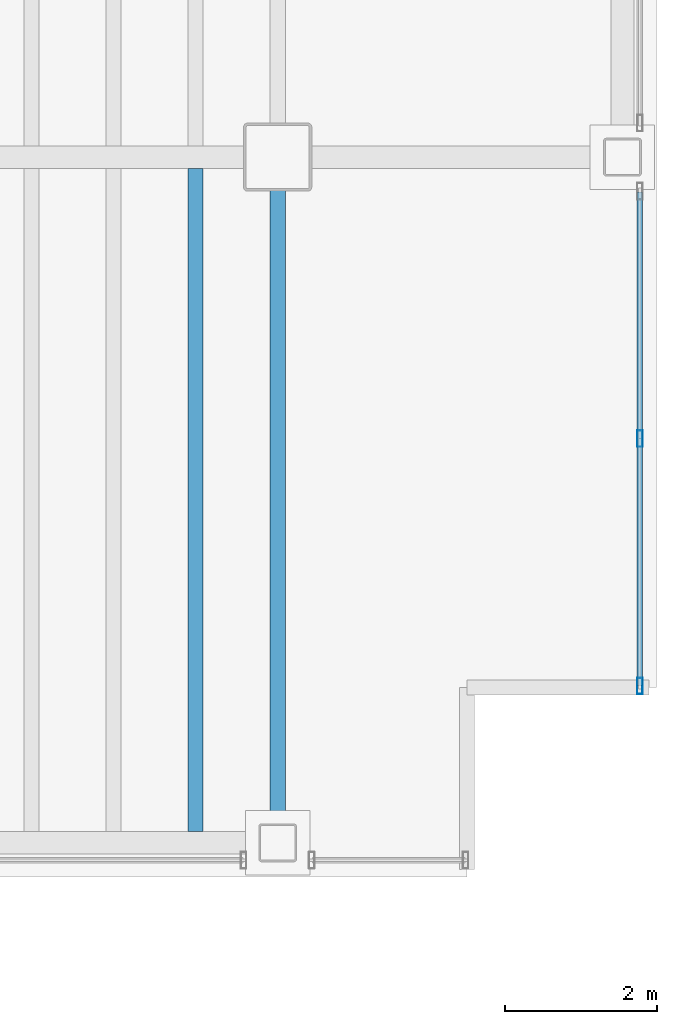
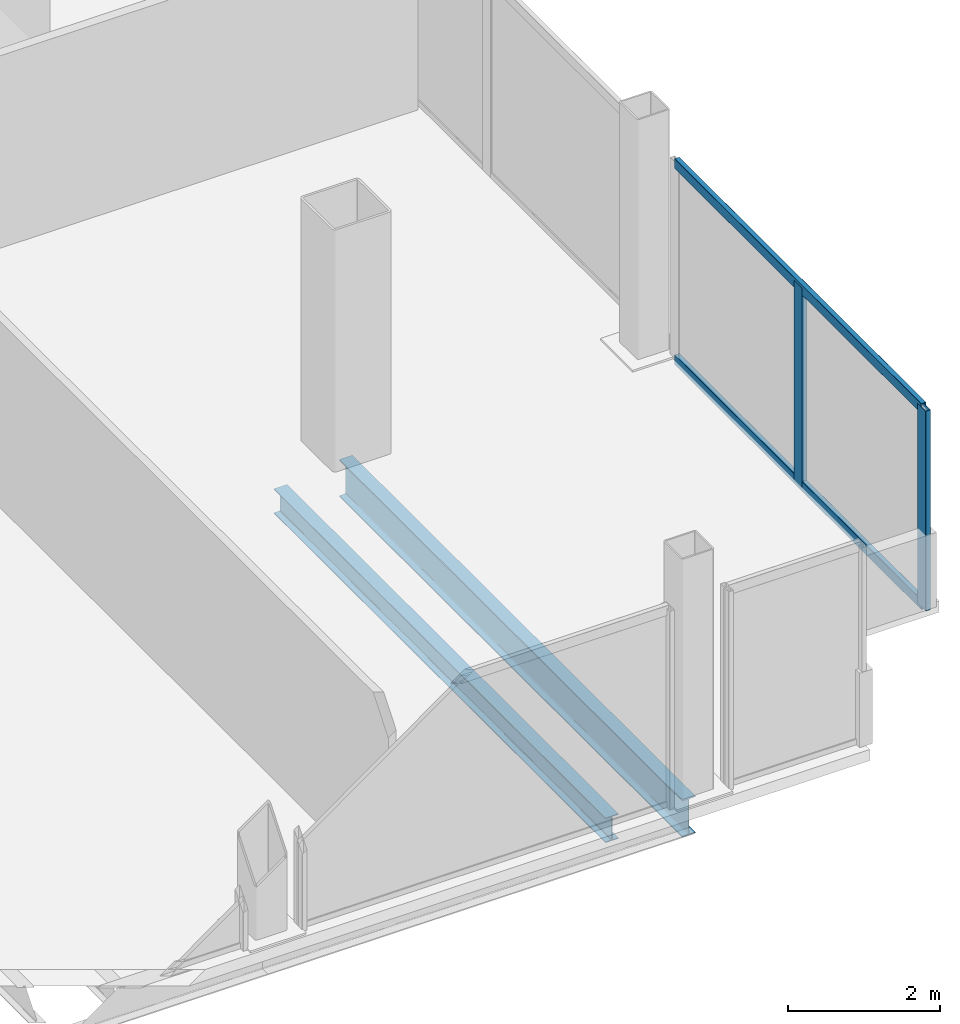
# One storey, part 13 of 20: 4 members, 2 beams, 1 element without a shape of its own.
"""IFC4 building model written with IfcOpenShell, lengths in metres."""

from ifc_helpers import new_model, si_unit, direction, frame, origin, origin_2d, place, context, subcontext, project, spatial, hollow_rectangle, i_section, extrude, material, material_profile, profile_set, type_object, element, aggregate, save


model = new_model("IFC4")

# Units and contexts
model_context = context("Model", 3, precision=1e-05, world=origin(), true_north=direction((0.0, 1.0)))
body_context = subcontext(model_context, "Body", "Model", "MODEL_VIEW")
ifc_project = project(units=[si_unit("LENGTHUNIT", "METRE"), si_unit("AREAUNIT", "SQUARE_METRE"), si_unit("VOLUMEUNIT", "CUBIC_METRE"), si_unit("PLANEANGLEUNIT", "RADIAN"), si_unit("MASSUNIT", "GRAM", prefix="KILO")], contexts=[model_context])

# Site, building, storey
site_placement = place(None, origin())
site = spatial("IfcSite", under=ifc_project, at=site_placement, CompositionType="ELEMENT")
building_placement = place(site_placement, origin())
building = spatial("IfcBuilding", under=site, at=building_placement, Name="Noeulbin Bourse Tower", CompositionType="ELEMENT")
storey_placement = place(building_placement, frame((0.0, 0.0, 126.60009765625)))
storey = spatial("IfcBuildingStorey", under=building, at=storey_placement, Name="L31", CompositionType="ELEMENT", Elevation=126.60009765625)

# Beams
ifc_material_1 = material(Name="Steel S355", Category="steel")
ifc_material_profile_1 = material_profile(ifc_material_1, i_section(OverallWidth=0.199951171875, OverallDepth=0.60009765625, WebThickness=0.010986328125, FlangeThickness=0.01708984375, FilletRadius=0.02197265625, at=origin_2d()), Name="H-600x200x11x17", Category="LoadBearing")
ifc_profile_set_1 = profile_set([ifc_material_profile_1], Name="Steel S355")
beam_type_1 = type_object("IfcBeamType", Name="BM-GRD-600", PredefinedType="USERDEFINED", material=ifc_profile_set_1)
beam_1_placement = place(storey_placement, frame((44.0, 10.949951171875, -0.47998046875), z_axis=(0.0, 1.0, 0.0), x_axis=(-1.0, 0.0, 0.0)))
element("IfcBeam", 1, at=beam_1_placement, inside=storey, type_object=beam_type_1, Name="Tower Primary Girder NS L31-5.1", ObjectType="GIRDER", PredefinedType="USERDEFINED", context=body_context, shape_type="SweptSolid", body=[
    extrude(i_section(OverallWidth=0.199951171875, OverallDepth=0.60009765625, WebThickness=0.010986328125, FlangeThickness=0.01708984375, FilletRadius=0.02197265625, at=origin_2d()), origin(), (0.0, 0.0, 1.0), 9.050048828125),
])
ifc_material_profile_2 = material_profile(ifc_material_1, i_section(OverallWidth=0.199951171875, OverallDepth=0.39990234375, WebThickness=0.008056640625, FlangeThickness=0.012939453125, FilletRadius=0.01611328125, at=origin_2d()), Name="H-400x200x8x13", Category="LoadBearing")
ifc_profile_set_2 = profile_set([ifc_material_profile_2], Name="Steel S355")
beam_type_2 = type_object("IfcBeamType", Name="BM-SEC-400", PredefinedType="BEAM", material=ifc_profile_set_2)
beam_2_placement = place(storey_placement, frame((42.916748046875, 11.10009765625, -0.380126953125), z_axis=(0.0, 1.0, 0.0), x_axis=(-1.0, 0.0, 0.0)))
element("IfcBeam", 2, at=beam_2_placement, inside=storey, type_object=beam_type_2, Name="Tower Composite Joist L31-45", PredefinedType="BEAM", context=body_context, shape_type="SweptSolid", body=[
    extrude(i_section(OverallWidth=0.199951171875, OverallDepth=0.39990234375, WebThickness=0.008056640625, FlangeThickness=0.012939453125, FilletRadius=0.01611328125, at=origin_2d()), origin(), (0.0, 0.0, 1.0), 8.75),
])

# Curtain wall, members
ifc_material_2 = material(Name="Dark Tinted Triple Glazing", Category="glass")
curtain_wall_type = type_object("IfcCurtainWallType", Name="CW-SYS-3", PredefinedType="NOTDEFINED", material=ifc_material_2)
curtain_wall_placement = place(storey_placement, origin())
curtain_wall = element("IfcCurtainWall", 3, at=curtain_wall_placement, inside=storey, type_object=curtain_wall_type, Name="Unitised Curtain Wall CW-L31-E-S1", PredefinedType="NOTDEFINED")
ifc_material_3 = material(Name="Anodised Aluminium 6063-T6", Category="aluminium")
ifc_material_profile_3 = material_profile(ifc_material_3, hollow_rectangle(XDim=0.074951171875, YDim=0.219970703125, WallThickness=0.0048828125, InnerFilletRadius=0.00244140625, OuterFilletRadius=0.0048828125, at=origin_2d()), Name="ALU-MULL-75x220x5", Category="LoadBearing")
ifc_profile_set_3 = profile_set([ifc_material_profile_3], Name="Anodised Aluminium 6063-T6")
member_type_1 = type_object("IfcMemberType", Name="CW-SYS-3-MUL", PredefinedType="MULLION", material=ifc_profile_set_3)
member_1_placement = place(storey_placement, frame((48.780029296875, 13.02001953125, -0.02001953125), z_axis=(0.0, 0.0, 1.0), x_axis=(1.0, 0.0, 0.0)))
member_1 = element("IfcMember", 4, at=member_1_placement, type_object=member_type_1, Name="Curtain Wall Mullion CW-L31-E-S1-M00", PredefinedType="MULLION", context=body_context, shape_type="SweptSolid", body=[
    extrude(hollow_rectangle(XDim=0.074951171875, YDim=0.219970703125, WallThickness=0.0048828125, InnerFilletRadius=0.00244140625, OuterFilletRadius=0.0048828125, at=origin_2d()), origin(), (0.0, 0.0, 1.0), 3.219970703125),
])
member_2_placement = place(storey_placement, frame((48.780029296875, 16.284912109375, -0.02001953125), z_axis=(0.0, 0.0, 1.0), x_axis=(1.0, 0.0, 0.0)))
member_2 = element("IfcMember", 5, at=member_2_placement, type_object=member_type_1, Name="Curtain Wall Mullion CW-L31-E-S1-M01", PredefinedType="MULLION", context=body_context, shape_type="SweptSolid", body=[
    extrude(hollow_rectangle(XDim=0.074951171875, YDim=0.219970703125, WallThickness=0.0048828125, InnerFilletRadius=0.00244140625, OuterFilletRadius=0.0048828125, at=origin_2d()), origin(), (0.0, 0.0, 1.0), 3.219970703125),
])
ifc_material_profile_4 = material_profile(ifc_material_3, hollow_rectangle(XDim=0.074951171875, YDim=0.159912109375, WallThickness=0.0048828125, InnerFilletRadius=0.00244140625, OuterFilletRadius=0.0048828125, at=origin_2d()), Name="ALU-TRAN-75x160x5", Category="LoadBearing")
ifc_profile_set_4 = profile_set([ifc_material_profile_4], Name="Anodised Aluminium 6063-T6")
member_type_2 = type_object("IfcMemberType", Name="CW-SYS-3-TRN", PredefinedType="USERDEFINED", material=ifc_profile_set_4)
member_3_placement = place(storey_placement, frame((48.780029296875, 13.030029296875, 0.010009765625), z_axis=(0.0, 1.0, 0.0), x_axis=(-1.0, 0.0, 0.0)))
member_3 = element("IfcMember", 6, at=member_3_placement, type_object=member_type_2, Name="Curtain Wall Transom CW-L31-E-S1-T00", ObjectType="TRANSOM", PredefinedType="USERDEFINED", context=body_context, shape_type="SweptSolid", body=[
    extrude(hollow_rectangle(XDim=0.074951171875, YDim=0.159912109375, WallThickness=0.0048828125, InnerFilletRadius=0.00244140625, OuterFilletRadius=0.0048828125, at=origin_2d()), origin(), (0.0, 0.0, 1.0), 6.510009765625),
])
member_4_placement = place(storey_placement, frame((48.780029296875, 13.030029296875, 3.169921875), z_axis=(0.0, 1.0, 0.0), x_axis=(-1.0, 0.0, 0.0)))
member_4 = element("IfcMember", 7, at=member_4_placement, type_object=member_type_2, Name="Curtain Wall Transom CW-L31-E-S1-T01", ObjectType="TRANSOM", PredefinedType="USERDEFINED", context=body_context, shape_type="SweptSolid", body=[
    extrude(hollow_rectangle(XDim=0.074951171875, YDim=0.159912109375, WallThickness=0.0048828125, InnerFilletRadius=0.00244140625, OuterFilletRadius=0.0048828125, at=origin_2d()), origin(), (0.0, 0.0, 1.0), 6.510009765625),
])
aggregate(curtain_wall, [member_1, member_2, member_3, member_4])

save(model, "model.ifc")
